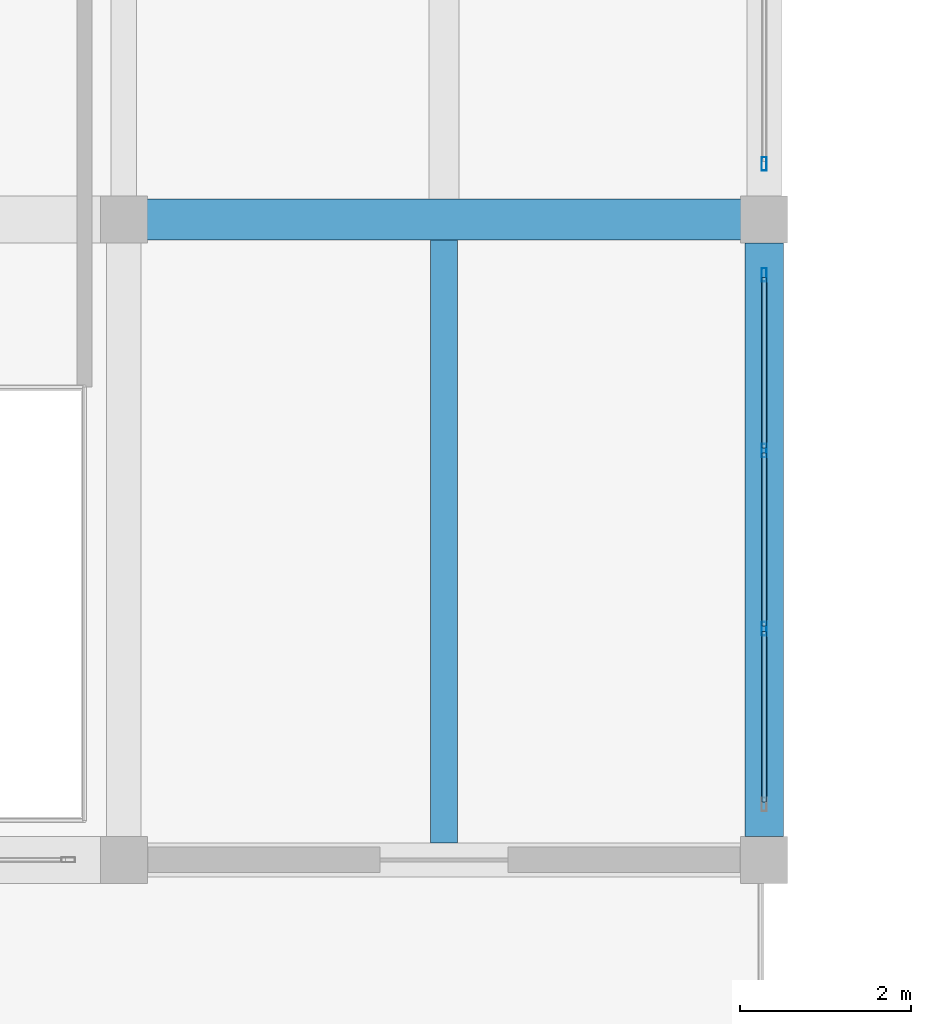
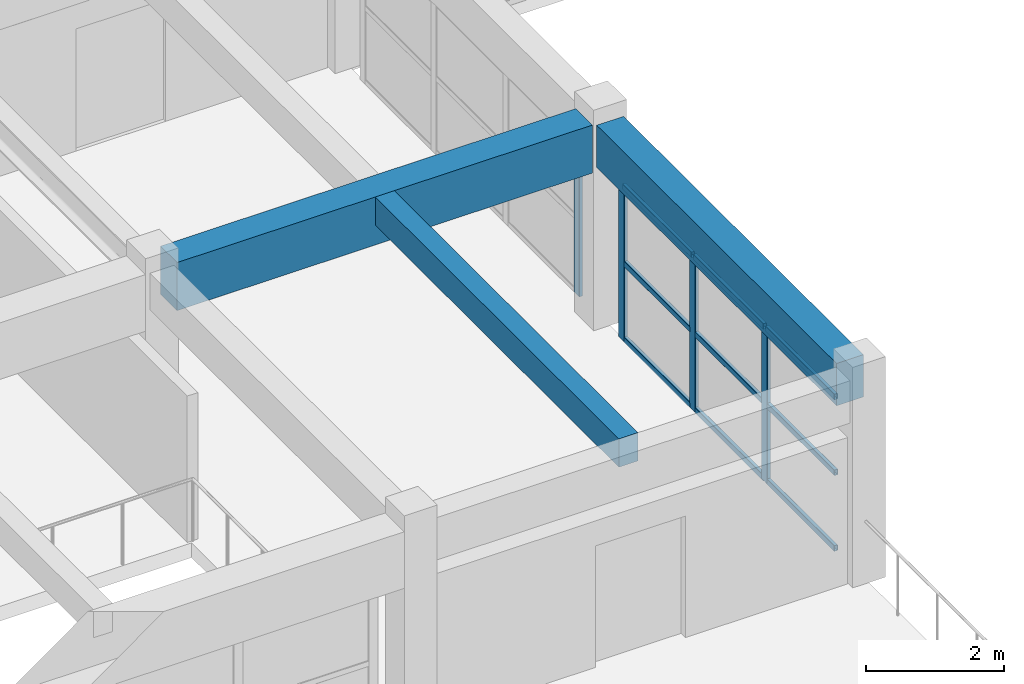
# One storey, part 10 of 101: 13 members, 3 beams, 2 elements without a shape of their own.
"""IFC4 building model written with IfcOpenShell, lengths in metres."""

from ifc_helpers import new_model, si_unit, direction, frame, origin, origin_2d, place, context, subcontext, project, spatial, rectangle, hollow_rectangle, extrude, material, material_profile, profile_set, type_object, element, aggregate, save


model = new_model("IFC4")

# Units and contexts
model_context = context("Model", 3, precision=1e-05, world=origin(), true_north=direction((0.0, 1.0)))
body_context = subcontext(model_context, "Body", "Model", "MODEL_VIEW")
ifc_project = project(units=[si_unit("LENGTHUNIT", "METRE"), si_unit("AREAUNIT", "SQUARE_METRE"), si_unit("VOLUMEUNIT", "CUBIC_METRE"), si_unit("PLANEANGLEUNIT", "RADIAN"), si_unit("MASSUNIT", "GRAM", prefix="KILO")], contexts=[model_context])

# Site, building, storey
site_placement = place(None, origin())
site = spatial("IfcSite", under=ifc_project, at=site_placement, CompositionType="ELEMENT")
building_placement = place(site_placement, origin())
building = spatial("IfcBuilding", under=site, at=building_placement, Name="Qasida Concert Hall", CompositionType="ELEMENT")
storey_placement = place(building_placement, frame((0.0, 0.0, 13.199951171875)))
storey = spatial("IfcBuildingStorey", under=building, at=storey_placement, Name="L03", CompositionType="ELEMENT", Elevation=13.199951171875)

# Beams
ifc_material_1 = material(Name="Concrete C40/50", Category="concrete")
ifc_material_profile_1 = material_profile(ifc_material_1, rectangle(XDim=0.47998046875, YDim=0.85009765625, at=origin_2d()), Name="RC 480x850")
ifc_profile_set_1 = profile_set([ifc_material_profile_1], Name="Concrete C40/50")
beam_type_1 = type_object("IfcBeamType", Name="BM-G6", PredefinedType="USERDEFINED", material=ifc_profile_set_1)
beam_1_placement = place(storey_placement, frame((30.27490234375, 22.5, 3.195068359375), z_axis=(1.0, 0.0, 0.0), x_axis=(0.0, 1.0, 0.0)))
element("IfcBeam", 1, at=beam_1_placement, inside=storey, type_object=beam_type_1, Name="Primary girder 1603", ObjectType="GIRDER", PredefinedType="USERDEFINED", context=body_context, shape_type="SweptSolid", body=[
    extrude(rectangle(XDim=0.47998046875, YDim=0.85009765625, at=origin_2d()), origin(), (0.0, 0.0, 1.0), 6.9501953125),
])
ifc_material_profile_2 = material_profile(ifc_material_1, rectangle(XDim=0.320068359375, YDim=0.5, at=origin_2d()), Name="RC 320x500")
ifc_profile_set_2 = profile_set([ifc_material_profile_2], Name="Concrete C40/50")
beam_type_2 = type_object("IfcBeamType", Name="BM-J7", PredefinedType="JOIST", material=ifc_profile_set_2)
beam_2_placement = place(storey_placement, frame((33.75, 15.199951171875, 3.3701171875), z_axis=(0.0, 1.0, 0.0), x_axis=(-1.0, 0.0, 0.0)))
element("IfcBeam", 2, at=beam_2_placement, inside=storey, type_object=beam_type_2, Name="L03 secondary joist 1654", PredefinedType="JOIST", context=body_context, shape_type="SweptSolid", body=[
    extrude(rectangle(XDim=0.320068359375, YDim=0.5, at=origin_2d()), origin(), (0.0, 0.0, 1.0), 7.06005859375),
])
ifc_material_profile_3 = material_profile(ifc_material_1, rectangle(XDim=0.449951171875, YDim=0.75, at=origin_2d()), Name="RC 450x750")
ifc_profile_set_3 = profile_set([ifc_material_profile_3], Name="Concrete C40/50")
beam_type_3 = type_object("IfcBeamType", Name="BM-SP4", PredefinedType="SPANDREL", material=ifc_profile_set_3)
beam_3_placement = place(storey_placement, frame((37.5, 15.27490234375, 3.2451171875), z_axis=(0.0, 1.0, 0.0), x_axis=(-1.0, 0.0, 0.0)))
element("IfcBeam", 3, at=beam_3_placement, inside=storey, type_object=beam_type_3, Name="L03 girder 1631", PredefinedType="SPANDREL", context=body_context, shape_type="SweptSolid", body=[
    extrude(rectangle(XDim=0.449951171875, YDim=0.75, at=origin_2d()), origin(), (0.0, 0.0, 1.0), 6.9501953125),
])

# Curtain wall, members
ifc_material_2 = material(Name="Architectural bronze-anodized aluminium and low-E glass", Category="aluminium")
curtain_wall_type = type_object("IfcCurtainWallType", Name="CW-09", PredefinedType="NOTDEFINED", material=ifc_material_2)
curtain_wall_1_placement = place(storey_placement, origin())
curtain_wall_1 = element("IfcCurtainWall", 4, at=curtain_wall_1_placement, inside=storey, type_object=curtain_wall_type, Name="L03 curtain wall CW-09 0125", PredefinedType="NOTDEFINED")
ifc_material_3 = material(Name="Architectural bronze-anodized aluminium EN AW-6063", Category="aluminium")
ifc_material_profile_4 = material_profile(ifc_material_3, hollow_rectangle(XDim=0.06005859375, YDim=0.159912109375, WallThickness=0.00390625, InnerFilletRadius=0.00390625, OuterFilletRadius=0.008056640625, at=origin_2d()), Name="CWM 160x60x4")
ifc_profile_set_4 = profile_set([ifc_material_profile_4], Name="Architectural bronze-anodized aluminium EN AW-6063")
member_type_1 = type_object("IfcMemberType", Name="MB-CWM-3", PredefinedType="MULLION", material=ifc_profile_set_4)
member_1_placement = place(storey_placement, frame((37.5, 17.706787109375, 0.0), z_axis=(0.0, 0.0, 1.0), x_axis=(-1.0, 0.0, 0.0)))
member_1 = element("IfcMember", 5, at=member_1_placement, type_object=member_type_1, Name="CW-09 mullion 2", PredefinedType="MULLION", context=body_context, shape_type="SweptSolid", body=[
    extrude(hollow_rectangle(XDim=0.06005859375, YDim=0.159912109375, WallThickness=0.00390625, InnerFilletRadius=0.00390625, OuterFilletRadius=0.008056640625, at=origin_2d()), origin(), (0.0, 0.0, 1.0), 2.739990234375),
])
member_2_placement = place(storey_placement, frame((37.5, 19.793212890625, 0.0), z_axis=(0.0, 0.0, 1.0), x_axis=(-1.0, 0.0, 0.0)))
member_2 = element("IfcMember", 6, at=member_2_placement, type_object=member_type_1, Name="CW-09 mullion 3", PredefinedType="MULLION", context=body_context, shape_type="SweptSolid", body=[
    extrude(hollow_rectangle(XDim=0.06005859375, YDim=0.159912109375, WallThickness=0.00390625, InnerFilletRadius=0.00390625, OuterFilletRadius=0.008056640625, at=origin_2d()), origin(), (0.0, 0.0, 1.0), 2.739990234375),
])
member_3_placement = place(storey_placement, frame((37.5, 21.85009765625, 0.0), z_axis=(0.0, 0.0, 1.0), x_axis=(-1.0, 0.0, 0.0)))
member_3 = element("IfcMember", 7, at=member_3_placement, type_object=member_type_1, Name="CW-09 mullion 4", PredefinedType="MULLION", context=body_context, shape_type="SweptSolid", body=[
    extrude(hollow_rectangle(XDim=0.06005859375, YDim=0.159912109375, WallThickness=0.00390625, InnerFilletRadius=0.00390625, OuterFilletRadius=0.008056640625, at=origin_2d()), origin(), (0.0, 0.0, 1.0), 2.739990234375),
])

# Curtain wall, member
curtain_wall_2_placement = place(storey_placement, origin())
curtain_wall_2 = element("IfcCurtainWall", 8, at=curtain_wall_2_placement, inside=storey, type_object=curtain_wall_type, Name="L03 curtain wall CW-09 0126", PredefinedType="NOTDEFINED")
member_4_placement = place(storey_placement, frame((37.5, 23.14990234375, 0.0), z_axis=(0.0, 0.0, 1.0), x_axis=(-1.0, 0.0, 0.0)))
member_4 = element("IfcMember", 9, at=member_4_placement, type_object=member_type_1, Name="CW-09 mullion 1", PredefinedType="MULLION", context=body_context, shape_type="SweptSolid", body=[
    extrude(hollow_rectangle(XDim=0.06005859375, YDim=0.159912109375, WallThickness=0.00390625, InnerFilletRadius=0.00390625, OuterFilletRadius=0.008056640625, at=origin_2d()), origin(), (0.0, 0.0, 1.0), 2.68994140625),
])
aggregate(curtain_wall_2, [member_4])

# Member
ifc_material_profile_5 = material_profile(ifc_material_3, hollow_rectangle(XDim=0.06005859375, YDim=0.10009765625, WallThickness=0.00341796875, InnerFilletRadius=0.00341796875, OuterFilletRadius=0.007080078125, at=origin_2d()), Name="CWT 100x60x3.5")
ifc_profile_set_5 = profile_set([ifc_material_profile_5], Name="Architectural bronze-anodized aluminium EN AW-6063")
member_type_2 = type_object("IfcMemberType", Name="MB-CWT-3", PredefinedType="USERDEFINED", material=ifc_profile_set_5)
member_5_placement = place(storey_placement, frame((37.5, 15.679931640625, 0.030029296875), z_axis=(0.0, 1.0, 0.0), x_axis=(-1.0, 0.0, 0.0)))
member_5 = element("IfcMember", 10, at=member_5_placement, type_object=member_type_2, Name="CW-09 transom 1.1", ObjectType="TRANSOM", PredefinedType="USERDEFINED", context=body_context, shape_type="SweptSolid", body=[
    extrude(hollow_rectangle(XDim=0.06005859375, YDim=0.10009765625, WallThickness=0.00341796875, InnerFilletRadius=0.00341796875, OuterFilletRadius=0.007080078125, at=origin_2d()), origin(), (0.0, 0.0, 1.0), 1.996826171875),
])

member_6_placement = place(storey_placement, frame((37.5, 15.679931640625, 1.3701171875), z_axis=(0.0, 1.0, 0.0), x_axis=(-1.0, 0.0, 0.0)))
member_6 = element("IfcMember", 11, at=member_6_placement, type_object=member_type_2, Name="CW-09 transom 1.2", ObjectType="TRANSOM", PredefinedType="USERDEFINED", context=body_context, shape_type="SweptSolid", body=[
    extrude(hollow_rectangle(XDim=0.06005859375, YDim=0.10009765625, WallThickness=0.00341796875, InnerFilletRadius=0.00341796875, OuterFilletRadius=0.007080078125, at=origin_2d()), origin(), (0.0, 0.0, 1.0), 1.996826171875),
])

member_7_placement = place(storey_placement, frame((37.5, 15.679931640625, 2.7099609375), z_axis=(0.0, 1.0, 0.0), x_axis=(-1.0, 0.0, 0.0)))
member_7 = element("IfcMember", 12, at=member_7_placement, type_object=member_type_2, Name="CW-09 transom 1.3", ObjectType="TRANSOM", PredefinedType="USERDEFINED", context=body_context, shape_type="SweptSolid", body=[
    extrude(hollow_rectangle(XDim=0.06005859375, YDim=0.10009765625, WallThickness=0.00341796875, InnerFilletRadius=0.00341796875, OuterFilletRadius=0.007080078125, at=origin_2d()), origin(), (0.0, 0.0, 1.0), 1.996826171875),
])

member_8_placement = place(storey_placement, frame((37.5, 17.736572265625, 0.030029296875), z_axis=(0.0, 1.0, 0.0), x_axis=(-1.0, 0.0, 0.0)))
member_8 = element("IfcMember", 13, at=member_8_placement, type_object=member_type_2, Name="CW-09 transom 2.1", ObjectType="TRANSOM", PredefinedType="USERDEFINED", context=body_context, shape_type="SweptSolid", body=[
    extrude(hollow_rectangle(XDim=0.06005859375, YDim=0.10009765625, WallThickness=0.00341796875, InnerFilletRadius=0.00341796875, OuterFilletRadius=0.007080078125, at=origin_2d()), origin(), (0.0, 0.0, 1.0), 2.02685546875),
])

member_9_placement = place(storey_placement, frame((37.5, 17.736572265625, 1.3701171875), z_axis=(0.0, 1.0, 0.0), x_axis=(-1.0, 0.0, 0.0)))
member_9 = element("IfcMember", 14, at=member_9_placement, type_object=member_type_2, Name="CW-09 transom 2.2", ObjectType="TRANSOM", PredefinedType="USERDEFINED", context=body_context, shape_type="SweptSolid", body=[
    extrude(hollow_rectangle(XDim=0.06005859375, YDim=0.10009765625, WallThickness=0.00341796875, InnerFilletRadius=0.00341796875, OuterFilletRadius=0.007080078125, at=origin_2d()), origin(), (0.0, 0.0, 1.0), 2.02685546875),
])

member_10_placement = place(storey_placement, frame((37.5, 17.736572265625, 2.7099609375), z_axis=(0.0, 1.0, 0.0), x_axis=(-1.0, 0.0, 0.0)))
member_10 = element("IfcMember", 15, at=member_10_placement, type_object=member_type_2, Name="CW-09 transom 2.3", ObjectType="TRANSOM", PredefinedType="USERDEFINED", context=body_context, shape_type="SweptSolid", body=[
    extrude(hollow_rectangle(XDim=0.06005859375, YDim=0.10009765625, WallThickness=0.00341796875, InnerFilletRadius=0.00341796875, OuterFilletRadius=0.007080078125, at=origin_2d()), origin(), (0.0, 0.0, 1.0), 2.02685546875),
])

member_11_placement = place(storey_placement, frame((37.5, 19.8232421875, 0.030029296875), z_axis=(0.0, 1.0, 0.0), x_axis=(-1.0, 0.0, 0.0)))
member_11 = element("IfcMember", 16, at=member_11_placement, type_object=member_type_2, Name="CW-09 transom 3.1", ObjectType="TRANSOM", PredefinedType="USERDEFINED", context=body_context, shape_type="SweptSolid", body=[
    extrude(hollow_rectangle(XDim=0.06005859375, YDim=0.10009765625, WallThickness=0.00341796875, InnerFilletRadius=0.00341796875, OuterFilletRadius=0.007080078125, at=origin_2d()), origin(), (0.0, 0.0, 1.0), 1.996826171875),
])

member_12_placement = place(storey_placement, frame((37.5, 19.8232421875, 1.3701171875), z_axis=(0.0, 1.0, 0.0), x_axis=(-1.0, 0.0, 0.0)))
member_12 = element("IfcMember", 17, at=member_12_placement, type_object=member_type_2, Name="CW-09 transom 3.2", ObjectType="TRANSOM", PredefinedType="USERDEFINED", context=body_context, shape_type="SweptSolid", body=[
    extrude(hollow_rectangle(XDim=0.06005859375, YDim=0.10009765625, WallThickness=0.00341796875, InnerFilletRadius=0.00341796875, OuterFilletRadius=0.007080078125, at=origin_2d()), origin(), (0.0, 0.0, 1.0), 1.996826171875),
])

member_13_placement = place(storey_placement, frame((37.5, 19.8232421875, 2.7099609375), z_axis=(0.0, 1.0, 0.0), x_axis=(-1.0, 0.0, 0.0)))
member_13 = element("IfcMember", 18, at=member_13_placement, type_object=member_type_2, Name="CW-09 transom 3.3", ObjectType="TRANSOM", PredefinedType="USERDEFINED", context=body_context, shape_type="SweptSolid", body=[
    extrude(hollow_rectangle(XDim=0.06005859375, YDim=0.10009765625, WallThickness=0.00341796875, InnerFilletRadius=0.00341796875, OuterFilletRadius=0.007080078125, at=origin_2d()), origin(), (0.0, 0.0, 1.0), 1.996826171875),
])

aggregate(curtain_wall_1, [member_1, member_2, member_3, member_5, member_6, member_7, member_8, member_9, member_10, member_11, member_12, member_13])

save(model, "model.ifc")
